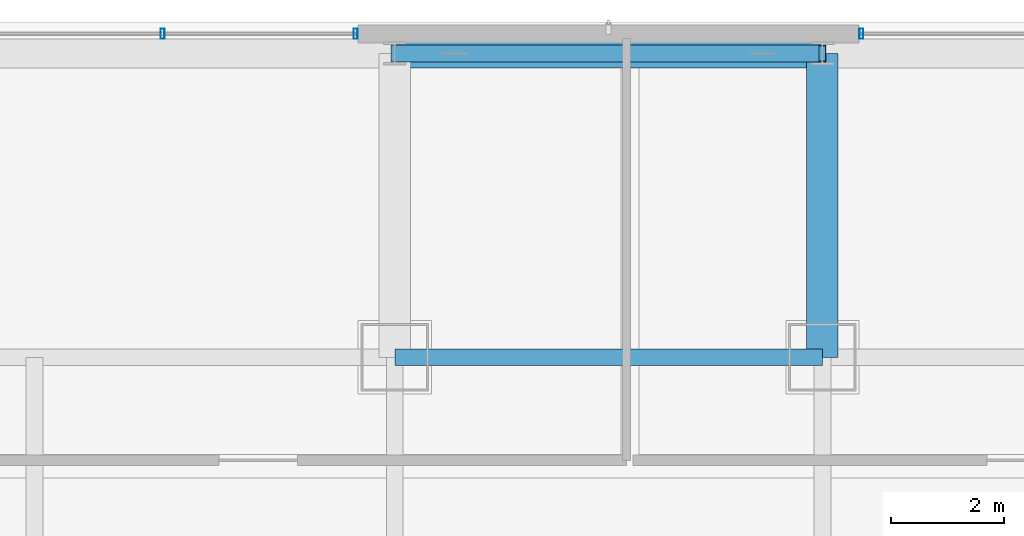
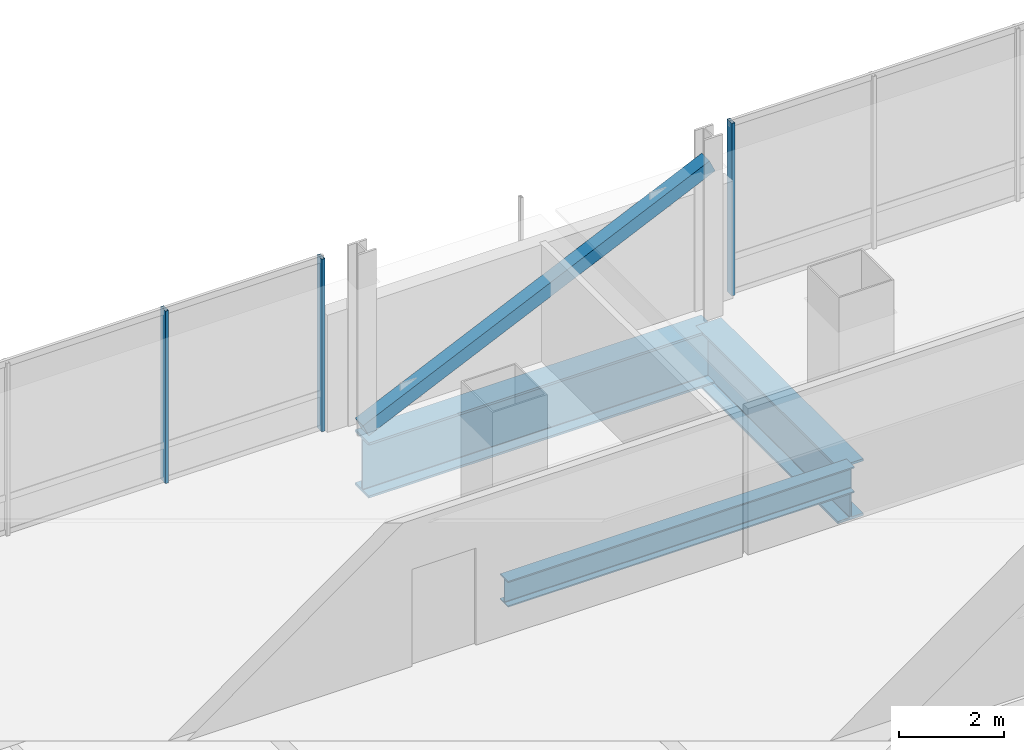
# One storey, part 25 of 43: 4 members, 3 beams, 2 elements without a shape of their own.
"""IFC4 building model written with IfcOpenShell, lengths in metres."""

from ifc_helpers import new_model, si_unit, direction, frame, origin, origin_2d, place, context, subcontext, project, spatial, hollow_rectangle, i_section, extrude, material, material_profile, profile_set, type_object, element, aggregate, save


model = new_model("IFC4")

# Units and contexts
model_context = context("Model", 3, precision=1e-05, world=origin(), true_north=direction((0.0, 1.0)))
body_context = subcontext(model_context, "Body", "Model", "MODEL_VIEW")
ifc_project = project(units=[si_unit("LENGTHUNIT", "METRE"), si_unit("AREAUNIT", "SQUARE_METRE"), si_unit("VOLUMEUNIT", "CUBIC_METRE"), si_unit("PLANEANGLEUNIT", "RADIAN"), si_unit("MASSUNIT", "GRAM", prefix="KILO")], contexts=[model_context])

# Site, building, storey
site_placement = place(None, origin())
site = spatial("IfcSite", under=ifc_project, at=site_placement, CompositionType="ELEMENT")
building_placement = place(site_placement, origin())
building = spatial("IfcBuilding", under=site, at=building_placement, Name="Punatoya Terracotta Tower", CompositionType="ELEMENT")
storey_placement = place(building_placement, frame((0.0, 0.0, 300.60009765625)))
storey = spatial("IfcBuildingStorey", under=building, at=storey_placement, Name="L71", CompositionType="ELEMENT", Elevation=300.60009765625)

# Beams
ifc_material_1 = material(Name="Steel S355", Category="steel")
ifc_material_profile_1 = material_profile(ifc_material_1, i_section(OverallWidth=0.300048828125, OverallDepth=0.60009765625, WebThickness=0.015380859375, FlangeThickness=0.030029296875, FilletRadius=0.01806640625, at=origin_2d()))
ifc_profile_set_1 = profile_set([ifc_material_profile_1], Name="Steel S355")
beam_type_1 = type_object("IfcBeamType", Name="BM-PRI-600", PredefinedType="BEAM", material=ifc_profile_set_1)
beam_1_placement = place(storey_placement, frame((-3.800048828125, 17.5, -0.5), z_axis=(1.0, 0.0, 0.0), x_axis=(0.0, 1.0, 0.0)))
element("IfcBeam", 1, at=beam_1_placement, inside=storey, type_object=beam_type_1, Name="BM-L71-RG-N2", PredefinedType="BEAM", context=body_context, shape_type="SweptSolid", body=[
    extrude(i_section(OverallWidth=0.300048828125, OverallDepth=0.60009765625, WebThickness=0.015380859375, FlangeThickness=0.030029296875, FilletRadius=0.01806640625, at=origin_2d()), origin(), (0.0, 0.0, 1.0), 7.60009765625),
])
ifc_material_2 = material(Name="Steel S460", Category="steel")
ifc_material_profile_2 = material_profile(ifc_material_2, i_section(OverallWidth=0.56005859375, OverallDepth=1.320068359375, WebThickness=0.035888671875, FlangeThickness=0.054931640625, FilletRadius=0.01806640625, at=origin_2d()))
ifc_profile_set_2 = profile_set([ifc_material_profile_2], Name="Steel S460")
beam_type_2 = type_object("IfcBeamType", Name="BM-TG-BLK", PredefinedType="BEAM", material=ifc_profile_set_2)
beam_2_placement = place(storey_placement, frame((3.800048828125, 17.5, -0.860107421875), z_axis=(0.0, 1.0, 0.0), x_axis=(-1.0, 0.0, 0.0)))
element("IfcBeam", 2, at=beam_2_placement, inside=storey, type_object=beam_type_2, Name="BM-L71-CANT-N3", PredefinedType="BEAM", context=body_context, shape_type="SweptSolid", body=[
    extrude(i_section(OverallWidth=0.56005859375, OverallDepth=1.320068359375, WebThickness=0.035888671875, FlangeThickness=0.054931640625, FilletRadius=0.01806640625, at=origin_2d()), origin(), (0.0, 0.0, 1.0), 5.39990234375),
])
ifc_material_profile_3 = material_profile(ifc_material_2, i_section(OverallWidth=0.52001953125, OverallDepth=1.280029296875, WebThickness=0.031982421875, FlangeThickness=0.050048828125, FilletRadius=0.01806640625, at=origin_2d()))
ifc_profile_set_3 = profile_set([ifc_material_profile_3], Name="Steel S460")
beam_type_3 = type_object("IfcBeamType", Name="BM-TG-NCK", PredefinedType="BEAM", material=ifc_profile_set_3)
beam_3_placement = place(storey_placement, frame((-3.800048828125, 22.89990234375, -0.840087890625), z_axis=(1.0, 0.0, 0.0), x_axis=(0.0, 1.0, 0.0)))
element("IfcBeam", 3, at=beam_3_placement, inside=storey, type_object=beam_type_3, Name="BM-L71-PER-N2", PredefinedType="BEAM", context=body_context, shape_type="SweptSolid", body=[
    extrude(i_section(OverallWidth=0.52001953125, OverallDepth=1.280029296875, WebThickness=0.031982421875, FlangeThickness=0.050048828125, FilletRadius=0.01806640625, at=origin_2d()), origin(), (0.0, 0.0, 1.0), 7.60009765625),
])

# Curtain wall, member
ifc_material_3 = material(Name="Aluminium 6063-T6 + Double Low-E Glass", Category="aluminium")
curtain_wall_type = type_object("IfcCurtainWallType", Name="CW-M3", PredefinedType="NOTDEFINED", material=ifc_material_3)
curtain_wall_1_placement = place(storey_placement, origin())
curtain_wall_1 = element("IfcCurtainWall", 4, at=curtain_wall_1_placement, inside=storey, type_object=curtain_wall_type, Name="L71 Curtain Wall CW-L71-N09-1", PredefinedType="NOTDEFINED")
ifc_material_4 = material(Name="Aluminium 6063-T6", Category="aluminium")
ifc_material_profile_4 = material_profile(ifc_material_4, hollow_rectangle(XDim=0.070068359375, YDim=0.179931640625, WallThickness=0.00390625, at=origin_2d()))
ifc_profile_set_4 = profile_set([ifc_material_profile_4], Name="Aluminium 6063-T6")
member_type_1 = type_object("IfcMemberType", Name="CW-MUL-M3", PredefinedType="MULLION", material=ifc_profile_set_4)
member_1_placement = place(storey_placement, frame((4.4951171875, 23.25, 0.0), z_axis=(0.0, 0.0, 1.0), x_axis=(1.0, 0.0, 0.0)))
member_1 = element("IfcMember", 5, at=member_1_placement, type_object=member_type_1, Name="CW-L71-N09-1 Mullion 04", PredefinedType="MULLION", context=body_context, shape_type="SweptSolid", body=[
    extrude(hollow_rectangle(XDim=0.070068359375, YDim=0.179931640625, WallThickness=0.00390625, at=origin_2d()), origin(), (0.0, 0.0, 1.0), 4.0),
])
aggregate(curtain_wall_1, [member_1])

# Curtain wall, members
curtain_wall_2_placement = place(storey_placement, origin())
curtain_wall_2 = element("IfcCurtainWall", 6, at=curtain_wall_2_placement, inside=storey, type_object=curtain_wall_type, Name="L71 Curtain Wall CW-L71-N09-2", PredefinedType="NOTDEFINED")
member_2_placement = place(storey_placement, frame((-4.4951171875, 23.25, 0.0), z_axis=(0.0, 0.0, 1.0), x_axis=(1.0, 0.0, 0.0)))
member_2 = element("IfcMember", 7, at=member_2_placement, type_object=member_type_1, Name="CW-L71-N09-2 Mullion 00", PredefinedType="MULLION", context=body_context, shape_type="SweptSolid", body=[
    extrude(hollow_rectangle(XDim=0.070068359375, YDim=0.179931640625, WallThickness=0.00390625, at=origin_2d()), origin(), (0.0, 0.0, 1.0), 4.0),
])
member_3_placement = place(storey_placement, frame((-7.927490234375, 23.25, 0.0), z_axis=(0.0, 0.0, 1.0), x_axis=(1.0, 0.0, 0.0)))
member_3 = element("IfcMember", 8, at=member_3_placement, type_object=member_type_1, Name="CW-L71-N09-2 Mullion 01", PredefinedType="MULLION", context=body_context, shape_type="SweptSolid", body=[
    extrude(hollow_rectangle(XDim=0.070068359375, YDim=0.179931640625, WallThickness=0.00390625, at=origin_2d()), origin(), (0.0, 0.0, 1.0), 4.0),
])
aggregate(curtain_wall_2, [member_2, member_3])

# Member
ifc_material_profile_5 = material_profile(ifc_material_1, hollow_rectangle(XDim=0.300048828125, YDim=0.300048828125, WallThickness=0.01611328125, at=origin_2d()))
ifc_profile_set_5 = profile_set([ifc_material_profile_5], Name="Steel S355")
member_type_2 = type_object("IfcMemberType", Name="MEM-WND-300", PredefinedType="BRACE", material=ifc_profile_set_5)
member_4_placement = place(storey_placement, frame((-3.800048828125, 22.89990234375, 0.02001953125), z_axis=(0.909218716481, 0.0, 0.416318778822), x_axis=(0.0, 1.0, 0.0)))
element("IfcMember", 9, at=member_4_placement, inside=storey, type_object=member_type_2, Name="L71 Perimeter Wind Brace N2", PredefinedType="BRACE", context=body_context, shape_type="SweptSolid", body=[
    extrude(hollow_rectangle(XDim=0.300048828125, YDim=0.300048828125, WallThickness=0.01611328125, at=origin_2d()), origin(), (0.0, 0.0, 1.0), 8.35888671875),
])

save(model, "model.ifc")
